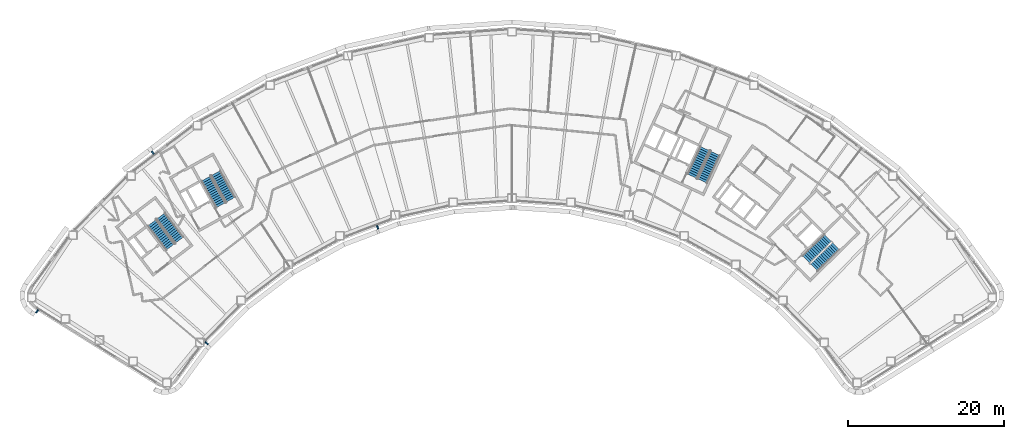
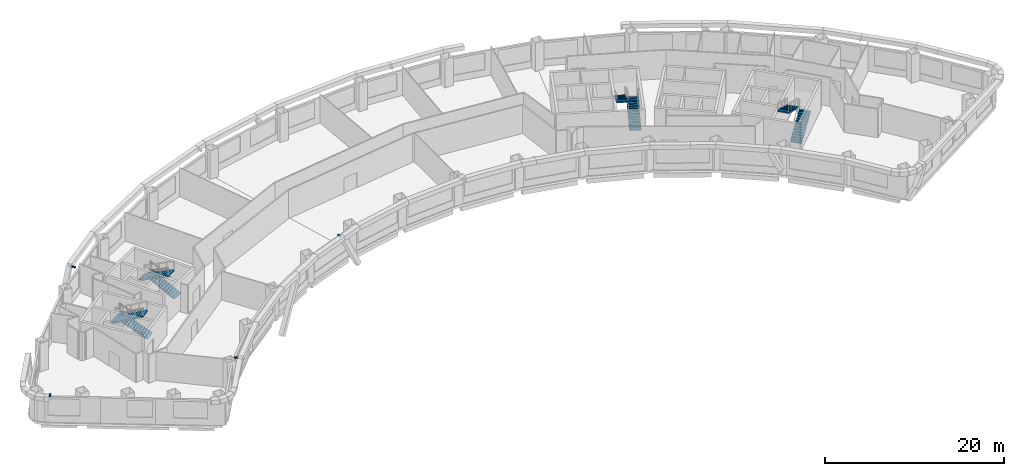
# One storey, part 9 of 13: 8 stair flights, 4 discrete accessories, 4 elements without a shape of their own.
"""IFC4 building model written with IfcOpenShell, lengths in metres."""

from ifc_helpers import new_model, si_unit, direction, frame, origin, origin_2d, place, context, subcontext, project, spatial, polyline, rectangle, outline, extrude, material, type_object, element, aggregate, save


model = new_model("IFC4")

# Units and contexts
model_context = context("Model", 3, precision=1e-05, world=origin(), true_north=direction((0.0, 1.0)))
body_context = subcontext(model_context, "Body", "Model", "MODEL_VIEW")
ifc_project = project(units=[si_unit("LENGTHUNIT", "METRE"), si_unit("AREAUNIT", "SQUARE_METRE"), si_unit("VOLUMEUNIT", "CUBIC_METRE"), si_unit("PLANEANGLEUNIT", "RADIAN"), si_unit("MASSUNIT", "GRAM", prefix="KILO")], contexts=[model_context])

# Site, building, storey
site_placement = place(None, origin())
site = spatial("IfcSite", under=ifc_project, at=site_placement, CompositionType="ELEMENT")
building_placement = place(site_placement, origin())
building = spatial("IfcBuilding", under=site, at=building_placement, Name="Tuul Gate Civic Tower", CompositionType="ELEMENT")
storey_placement = place(building_placement, frame((0.0, 0.0, 111.89990234375)))
storey = spatial("IfcBuildingStorey", under=building, at=storey_placement, Name="Level 25", CompositionType="ELEMENT", Elevation=111.89990234375)

# Stair, stair flights
ifc_material_1 = material(Name="Concrete C40/50", Category="concrete")
stair_type = type_object("IfcStairType", Name="Exit stair", PredefinedType="HALF_TURN_STAIR", material=ifc_material_1)
stair_1_placement = place(storey_placement, origin())
stair_1 = element("IfcStair", 1, at=stair_1_placement, inside=storey, type_object=stair_type, Name="Level 25 ST-1", PredefinedType="HALF_TURN_STAIR")
ifc_material_2 = material(Name="Concrete C40/50", Category="concrete")
stair_flight_type = type_object("IfcStairFlightType", Name="Exit stair flight", PredefinedType="STRAIGHT", material=ifc_material_2)
stair_flight_1_placement = place(storey_placement, frame((-32.875244140625, -13.066650390625, 0.0), z_axis=(0.0, 0.0, 1.0), x_axis=(-0.605764474941, 0.795644016442, 0.0)))
stair_flight_1 = element("IfcStairFlight", 2, at=stair_flight_1_placement, type_object=stair_flight_type, Name="ST-1 flight 1", NumberOfRisers=14, NumberOfTreads=13, PredefinedType="STRAIGHT", RiserHeight=0.15, TreadLength=0.3, context=body_context, shape_type="SweptSolid", body=[
    extrude(outline(polyline([(0.0, 0.0), (0.0, 0.14990234375), (0.300048828125, 0.14990234375), (0.300048828125, 0.300048828125), (0.60009765625, 0.300048828125), (0.60009765625, 0.449951171875), (0.89990234375, 0.449951171875), (0.89990234375, 0.60009765625), (1.199951171875, 0.60009765625), (1.199951171875, 0.75), (1.5, 0.75), (1.5, 0.89990234375), (1.800048828125, 0.89990234375), (1.800048828125, 1.050048828125), (2.10009765625, 1.050048828125), (2.10009765625, 1.199951171875), (2.39990234375, 1.199951171875), (2.39990234375, 1.35009765625), (2.699951171875, 1.35009765625), (2.699951171875, 1.5), (3.0, 1.5), (3.0, 1.64990234375), (3.300048828125, 1.64990234375), (3.300048828125, 1.800048828125), (3.60009765625, 1.800048828125), (3.60009765625, 1.949951171875), (3.89990234375, 1.949951171875), (3.89990234375, 2.10009765625), (3.89990234375, 1.782470703125), (0.335205078125, 0.0), (0.0, 0.0)])), frame((0.0, 0.675048828125, 0.0), z_axis=(0.0, -1.0, 0.0), x_axis=(1.0, 0.0, 0.0)), (0.0, 0.0, 1.0), 1.35009765625),
])
stair_flight_2_placement = place(storey_placement, frame((-36.391357421875, -10.842041015625, 2.10009765625), z_axis=(0.0, 0.0, 1.0), x_axis=(0.605764474941, -0.795644016442, 0.0)))
stair_flight_2 = element("IfcStairFlight", 3, at=stair_flight_2_placement, type_object=stair_flight_type, Name="ST-1 flight 2", NumberOfRisers=14, NumberOfTreads=13, PredefinedType="STRAIGHT", RiserHeight=0.15, TreadLength=0.3, context=body_context, shape_type="SweptSolid", body=[
    extrude(outline(polyline([(0.0, 0.0), (0.0, 0.14990234375), (0.300048828125, 0.14990234375), (0.300048828125, 0.300048828125), (0.60009765625, 0.300048828125), (0.60009765625, 0.449951171875), (0.89990234375, 0.449951171875), (0.89990234375, 0.60009765625), (1.199951171875, 0.60009765625), (1.199951171875, 0.75), (1.5, 0.75), (1.5, 0.89990234375), (1.800048828125, 0.89990234375), (1.800048828125, 1.050048828125), (2.10009765625, 1.050048828125), (2.10009765625, 1.199951171875), (2.39990234375, 1.199951171875), (2.39990234375, 1.35009765625), (2.699951171875, 1.35009765625), (2.699951171875, 1.5), (3.0, 1.5), (3.0, 1.64990234375), (3.300048828125, 1.64990234375), (3.300048828125, 1.800048828125), (3.60009765625, 1.800048828125), (3.60009765625, 1.949951171875), (3.89990234375, 1.949951171875), (3.89990234375, 2.10009765625), (3.89990234375, 1.782470703125), (0.335205078125, 0.0), (0.0, 0.0)])), frame((0.0, 0.675048828125, 0.0), z_axis=(0.0, -1.0, 0.0), x_axis=(1.0, 0.0, 0.0)), (0.0, 0.0, 1.0), 1.35009765625),
])
aggregate(stair_1, [stair_flight_1, stair_flight_2])

stair_2_placement = place(storey_placement, origin())
stair_2 = element("IfcStair", 4, at=stair_2_placement, inside=storey, type_object=stair_type, Name="Level 25 ST-2", PredefinedType="HALF_TURN_STAIR")
stair_flight_3_placement = place(storey_placement, frame((-26.29150390625, -7.87646484375, 0.0), z_axis=(0.0, 0.0, 1.0), x_axis=(-0.484761763766, 0.874646232708, 0.0)))
stair_flight_3 = element("IfcStairFlight", 5, at=stair_flight_3_placement, type_object=stair_flight_type, Name="ST-2 flight 1", NumberOfRisers=14, NumberOfTreads=13, PredefinedType="STRAIGHT", RiserHeight=0.15, TreadLength=0.3, context=body_context, shape_type="SweptSolid", body=[
    extrude(outline(polyline([(0.0, 0.0), (0.0, 0.14990234375), (0.300048828125, 0.14990234375), (0.300048828125, 0.300048828125), (0.60009765625, 0.300048828125), (0.60009765625, 0.449951171875), (0.89990234375, 0.449951171875), (0.89990234375, 0.60009765625), (1.199951171875, 0.60009765625), (1.199951171875, 0.75), (1.5, 0.75), (1.5, 0.89990234375), (1.800048828125, 0.89990234375), (1.800048828125, 1.050048828125), (2.10009765625, 1.050048828125), (2.10009765625, 1.199951171875), (2.39990234375, 1.199951171875), (2.39990234375, 1.35009765625), (2.699951171875, 1.35009765625), (2.699951171875, 1.5), (3.0, 1.5), (3.0, 1.64990234375), (3.300048828125, 1.64990234375), (3.300048828125, 1.800048828125), (3.60009765625, 1.800048828125), (3.60009765625, 1.949951171875), (3.89990234375, 1.949951171875), (3.89990234375, 2.10009765625), (3.89990234375, 1.782470703125), (0.335205078125, 0.0), (0.0, 0.0)])), frame((0.0, 0.675048828125, 0.0), z_axis=(0.0, -1.0, 0.0), x_axis=(1.0, 0.0, 0.0)), (0.0, 0.0, 1.0), 1.35009765625),
])
stair_flight_4_placement = place(storey_placement, frame((-29.450439453125, -5.168212890625, 2.10009765625), z_axis=(0.0, 0.0, 1.0), x_axis=(0.484761763766, -0.874646232708, 0.0)))
stair_flight_4 = element("IfcStairFlight", 6, at=stair_flight_4_placement, type_object=stair_flight_type, Name="ST-2 flight 2", NumberOfRisers=14, NumberOfTreads=13, PredefinedType="STRAIGHT", RiserHeight=0.15, TreadLength=0.3, context=body_context, shape_type="SweptSolid", body=[
    extrude(outline(polyline([(0.0, 0.0), (0.0, 0.14990234375), (0.300048828125, 0.14990234375), (0.300048828125, 0.300048828125), (0.60009765625, 0.300048828125), (0.60009765625, 0.449951171875), (0.89990234375, 0.449951171875), (0.89990234375, 0.60009765625), (1.199951171875, 0.60009765625), (1.199951171875, 0.75), (1.5, 0.75), (1.5, 0.89990234375), (1.800048828125, 0.89990234375), (1.800048828125, 1.050048828125), (2.10009765625, 1.050048828125), (2.10009765625, 1.199951171875), (2.39990234375, 1.199951171875), (2.39990234375, 1.35009765625), (2.699951171875, 1.35009765625), (2.699951171875, 1.5), (3.0, 1.5), (3.0, 1.64990234375), (3.300048828125, 1.64990234375), (3.300048828125, 1.800048828125), (3.60009765625, 1.800048828125), (3.60009765625, 1.949951171875), (3.89990234375, 1.949951171875), (3.89990234375, 2.10009765625), (3.89990234375, 1.782470703125), (0.335205078125, 0.0), (0.0, 0.0)])), frame((0.0, 0.675048828125, 0.0), z_axis=(0.0, -1.0, 0.0), x_axis=(1.0, 0.0, 0.0)), (0.0, 0.0, 1.0), 1.35009765625),
])
aggregate(stair_2, [stair_flight_3, stair_flight_4])

stair_3_placement = place(storey_placement, origin())
stair_3 = element("IfcStair", 7, at=stair_3_placement, inside=storey, type_object=stair_type, Name="Level 25 ST-3", PredefinedType="HALF_TURN_STAIR")
stair_flight_5_placement = place(storey_placement, frame((48.61376953125, -16.581787109375, 0.0), z_axis=(0.0, 0.0, 1.0), x_axis=(0.714127290059, 0.700015866672, 0.0)))
stair_flight_5 = element("IfcStairFlight", 8, at=stair_flight_5_placement, type_object=stair_flight_type, Name="ST-3 flight 1", NumberOfRisers=14, NumberOfTreads=13, PredefinedType="STRAIGHT", RiserHeight=0.15, TreadLength=0.3, context=body_context, shape_type="SweptSolid", body=[
    extrude(outline(polyline([(0.0, 0.0), (0.0, 0.14990234375), (0.300048828125, 0.14990234375), (0.300048828125, 0.300048828125), (0.60009765625, 0.300048828125), (0.60009765625, 0.449951171875), (0.89990234375, 0.449951171875), (0.89990234375, 0.60009765625), (1.199951171875, 0.60009765625), (1.199951171875, 0.75), (1.5, 0.75), (1.5, 0.89990234375), (1.800048828125, 0.89990234375), (1.800048828125, 1.050048828125), (2.10009765625, 1.050048828125), (2.10009765625, 1.199951171875), (2.39990234375, 1.199951171875), (2.39990234375, 1.35009765625), (2.699951171875, 1.35009765625), (2.699951171875, 1.5), (3.0, 1.5), (3.0, 1.64990234375), (3.300048828125, 1.64990234375), (3.300048828125, 1.800048828125), (3.60009765625, 1.800048828125), (3.60009765625, 1.949951171875), (3.89990234375, 1.949951171875), (3.89990234375, 2.10009765625), (3.89990234375, 1.782470703125), (0.335205078125, 0.0), (0.0, 0.0)])), frame((0.0, 0.675048828125, 0.0), z_axis=(0.0, -1.0, 0.0), x_axis=(1.0, 0.0, 0.0)), (0.0, 0.0, 1.0), 1.35009765625),
])
stair_flight_6_placement = place(storey_placement, frame((50.3837890625, -12.816162109375, 2.10009765625), z_axis=(0.0, 0.0, 1.0), x_axis=(-0.714127290059, -0.700015866672, 0.0)))
stair_flight_6 = element("IfcStairFlight", 9, at=stair_flight_6_placement, type_object=stair_flight_type, Name="ST-3 flight 2", NumberOfRisers=14, NumberOfTreads=13, PredefinedType="STRAIGHT", RiserHeight=0.15, TreadLength=0.3, context=body_context, shape_type="SweptSolid", body=[
    extrude(outline(polyline([(0.0, 0.0), (0.0, 0.14990234375), (0.300048828125, 0.14990234375), (0.300048828125, 0.300048828125), (0.60009765625, 0.300048828125), (0.60009765625, 0.449951171875), (0.89990234375, 0.449951171875), (0.89990234375, 0.60009765625), (1.199951171875, 0.60009765625), (1.199951171875, 0.75), (1.5, 0.75), (1.5, 0.89990234375), (1.800048828125, 0.89990234375), (1.800048828125, 1.050048828125), (2.10009765625, 1.050048828125), (2.10009765625, 1.199951171875), (2.39990234375, 1.199951171875), (2.39990234375, 1.35009765625), (2.699951171875, 1.35009765625), (2.699951171875, 1.5), (3.0, 1.5), (3.0, 1.64990234375), (3.300048828125, 1.64990234375), (3.300048828125, 1.800048828125), (3.60009765625, 1.800048828125), (3.60009765625, 1.949951171875), (3.89990234375, 1.949951171875), (3.89990234375, 2.10009765625), (3.89990234375, 1.782470703125), (0.335205078125, 0.0), (0.0, 0.0)])), frame((0.0, 0.675048828125, 0.0), z_axis=(0.0, -1.0, 0.0), x_axis=(1.0, 0.0, 0.0)), (0.0, 0.0, 1.0), 1.35009765625),
])
aggregate(stair_3, [stair_flight_5, stair_flight_6])

stair_4_placement = place(storey_placement, origin())
stair_4 = element("IfcStair", 10, at=stair_4_placement, inside=storey, type_object=stair_type, Name="Level 25 ST-4", PredefinedType="HALF_TURN_STAIR")
stair_flight_7_placement = place(storey_placement, frame((34.278564453125, -5.478515625, 0.0), z_axis=(0.0, 0.0, 1.0), x_axis=(0.422576295988, 0.906327354806, 0.0)))
stair_flight_7 = element("IfcStairFlight", 11, at=stair_flight_7_placement, type_object=stair_flight_type, Name="ST-4 flight 1", NumberOfRisers=14, NumberOfTreads=13, PredefinedType="STRAIGHT", RiserHeight=0.15, TreadLength=0.3, context=body_context, shape_type="SweptSolid", body=[
    extrude(outline(polyline([(0.0, 0.0), (0.0, 0.14990234375), (0.300048828125, 0.14990234375), (0.300048828125, 0.300048828125), (0.60009765625, 0.300048828125), (0.60009765625, 0.449951171875), (0.89990234375, 0.449951171875), (0.89990234375, 0.60009765625), (1.199951171875, 0.60009765625), (1.199951171875, 0.75), (1.5, 0.75), (1.5, 0.89990234375), (1.800048828125, 0.89990234375), (1.800048828125, 1.050048828125), (2.10009765625, 1.050048828125), (2.10009765625, 1.199951171875), (2.39990234375, 1.199951171875), (2.39990234375, 1.35009765625), (2.699951171875, 1.35009765625), (2.699951171875, 1.5), (3.0, 1.5), (3.0, 1.64990234375), (3.300048828125, 1.64990234375), (3.300048828125, 1.800048828125), (3.60009765625, 1.800048828125), (3.60009765625, 1.949951171875), (3.89990234375, 1.949951171875), (3.89990234375, 2.10009765625), (3.89990234375, 1.782470703125), (0.335205078125, 0.0), (0.0, 0.0)])), frame((0.0, 0.675048828125, 0.0), z_axis=(0.0, -1.0, 0.0), x_axis=(1.0, 0.0, 0.0)), (0.0, 0.0, 1.0), 1.35009765625),
])
stair_flight_8_placement = place(storey_placement, frame((34.612548828125, -1.3310546875, 2.10009765625), z_axis=(0.0, 0.0, 1.0), x_axis=(-0.422576295988, -0.906327354806, 0.0)))
stair_flight_8 = element("IfcStairFlight", 12, at=stair_flight_8_placement, type_object=stair_flight_type, Name="ST-4 flight 2", NumberOfRisers=14, NumberOfTreads=13, PredefinedType="STRAIGHT", RiserHeight=0.15, TreadLength=0.3, context=body_context, shape_type="SweptSolid", body=[
    extrude(outline(polyline([(0.0, 0.0), (0.0, 0.14990234375), (0.300048828125, 0.14990234375), (0.300048828125, 0.300048828125), (0.60009765625, 0.300048828125), (0.60009765625, 0.449951171875), (0.89990234375, 0.449951171875), (0.89990234375, 0.60009765625), (1.199951171875, 0.60009765625), (1.199951171875, 0.75), (1.5, 0.75), (1.5, 0.89990234375), (1.800048828125, 0.89990234375), (1.800048828125, 1.050048828125), (2.10009765625, 1.050048828125), (2.10009765625, 1.199951171875), (2.39990234375, 1.199951171875), (2.39990234375, 1.35009765625), (2.699951171875, 1.35009765625), (2.699951171875, 1.5), (3.0, 1.5), (3.0, 1.64990234375), (3.300048828125, 1.64990234375), (3.300048828125, 1.800048828125), (3.60009765625, 1.800048828125), (3.60009765625, 1.949951171875), (3.89990234375, 1.949951171875), (3.89990234375, 2.10009765625), (3.89990234375, 1.782470703125), (0.335205078125, 0.0), (0.0, 0.0)])), frame((0.0, 0.675048828125, 0.0), z_axis=(0.0, -1.0, 0.0), x_axis=(1.0, 0.0, 0.0)), (0.0, 0.0, 1.0), 1.35009765625),
])
aggregate(stair_4, [stair_flight_7, stair_flight_8])

# Discrete accessories
ifc_material_3 = material(Name="Stainless steel", Category="steel")
discrete_accessory_type = type_object("IfcDiscreteAccessoryType", Name="Screen bracket", PredefinedType="BRACKET", material=ifc_material_3)
discrete_accessory_1_placement = place(storey_placement, frame((-36.286865234375, -1.837890625, 3.75), z_axis=(0.0, 0.0, 1.0), x_axis=(-0.619921469672, 0.784663858884, 0.0)))
element("IfcDiscreteAccessory", 13, at=discrete_accessory_1_placement, inside=storey, type_object=discrete_accessory_type, Name="Screen bracket 15", PredefinedType="BRACKET", context=body_context, shape_type="SweptSolid", body=[
    extrude(rectangle(XDim=0.4501953125, YDim=0.199951171875, at=origin_2d()), origin(), (0.0, 0.0, 1.0), 0.199951171875),
])
discrete_accessory_2_placement = place(storey_placement, frame((-51.13330078125, -22.20703125, 3.75), z_axis=(0.0, 0.0, 1.0), x_axis=(-0.609605728142, -0.792704772419, 0.0)))
element("IfcDiscreteAccessory", 14, at=discrete_accessory_2_placement, inside=storey, type_object=discrete_accessory_type, Name="Screen bracket 18", PredefinedType="BRACKET", context=body_context, shape_type="SweptSolid", body=[
    extrude(rectangle(XDim=0.4521484375, YDim=0.199951171875, at=origin_2d()), origin(), (0.0, 0.0, 1.0), 0.199951171875),
])
discrete_accessory_3_placement = place(storey_placement, frame((-29.37451171875, -26.30712890625, 3.75), z_axis=(0.0, 0.0, 1.0), x_axis=(0.756344633726, -0.65417336772, 0.0)))
element("IfcDiscreteAccessory", 15, at=discrete_accessory_3_placement, inside=storey, type_object=discrete_accessory_type, Name="Screen bracket 21", PredefinedType="BRACKET", context=body_context, shape_type="SweptSolid", body=[
    extrude(rectangle(XDim=0.450927734375, YDim=0.199951171875, at=origin_2d()), origin(), (0.0, 0.0, 1.0), 0.199951171875),
])
discrete_accessory_4_placement = place(storey_placement, frame((-7.42529296875, -11.43115234375, 3.75), z_axis=(0.0, 0.0, 1.0), x_axis=(0.333461340669, -0.942763774378, 0.0)))
element("IfcDiscreteAccessory", 16, at=discrete_accessory_4_placement, inside=storey, type_object=discrete_accessory_type, Name="Screen bracket 24", PredefinedType="BRACKET", context=body_context, shape_type="SweptSolid", body=[
    extrude(rectangle(XDim=0.4501953125, YDim=0.199951171875, at=origin_2d()), origin(), (0.0, 0.0, 1.0), 0.199951171875),
])

save(model, "model.ifc")
